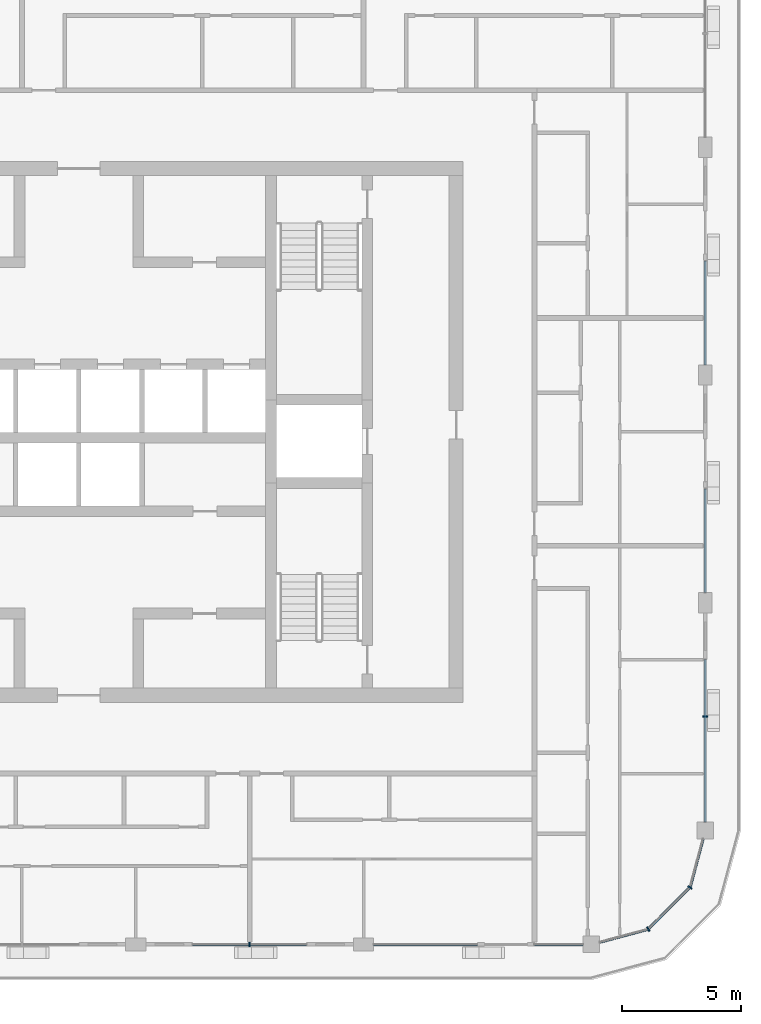
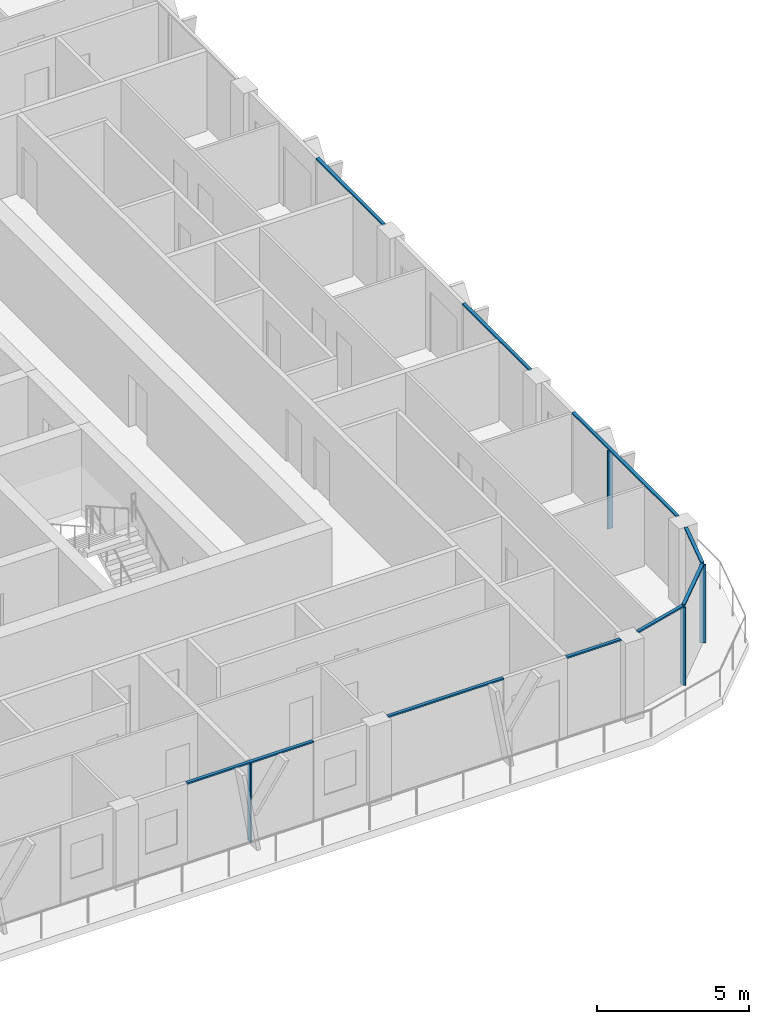
# One storey, part 4 of 21: 13 members, 6 elements without a shape of their own.
"""IFC4 building model written with IfcOpenShell, lengths in metres."""

from ifc_helpers import new_model, si_unit, direction, frame, origin, origin_2d, place, context, subcontext, project, spatial, rectangle, extrude, material, layer, layer_set, material_profile, profile_set, type_object, element, aggregate, save


model = new_model("IFC4")

# Units and contexts
model_context = context("Model", 3, precision=1e-05, world=origin(), true_north=direction((0.0, 1.0)))
body_context = subcontext(model_context, "Body", "Model", "MODEL_VIEW")
ifc_project = project(units=[si_unit("LENGTHUNIT", "METRE"), si_unit("AREAUNIT", "SQUARE_METRE"), si_unit("VOLUMEUNIT", "CUBIC_METRE"), si_unit("PLANEANGLEUNIT", "RADIAN"), si_unit("MASSUNIT", "GRAM", prefix="KILO")], contexts=[model_context])

# Site, building, storey
site_placement = place(None, origin())
site = spatial("IfcSite", under=ifc_project, at=site_placement, CompositionType="ELEMENT")
building_placement = place(site_placement, origin())
building = spatial("IfcBuilding", under=site, at=building_placement, Name="Madar Terraces", CompositionType="ELEMENT")
storey_placement = place(building_placement, frame((0.0, 0.0, 252.699951171875)))
storey = spatial("IfcBuildingStorey", under=building, at=storey_placement, Name="L66", CompositionType="ELEMENT", Elevation=252.699951171875)

# Curtain wall, member
ifc_material_1 = material(Name="Glass, ceramic frit dark grey, with black aluminium frame", Category="aluminium")
ifc_layer = layer(ifc_material_1, 0.199951171875)
ifc_layer_set = layer_set([ifc_layer], Name="Facade curtain wall, fritted glass")
curtain_wall_type = type_object("IfcCurtainWallType", Name="Facade curtain wall, fritted glass", PredefinedType="NOTDEFINED", material=ifc_layer_set)
curtain_wall_1_placement = place(storey_placement, origin())
curtain_wall_1 = element("IfcCurtainWall", 1, at=curtain_wall_1_placement, inside=storey, type_object=curtain_wall_type, Name="Outer skin curtain wall south bay 4", PredefinedType="NOTDEFINED")
ifc_material_2 = material(Name="Aluminium, black anodised", Category="aluminium")
ifc_material_profile_1 = material_profile(ifc_material_2, rectangle(XDim=0.199951171875, YDim=0.06005859375, at=origin_2d()), Name="Facade mullion 60x200")
ifc_profile_set_1 = profile_set([ifc_material_profile_1], Name="Aluminium, black anodised")
member_type_1 = type_object("IfcMemberType", Name="Facade mullion 60x200", PredefinedType="MULLION", material=ifc_profile_set_1)
member_1_placement = place(storey_placement, frame((38.39990234375, 4.800048828125, 0.0), z_axis=(0.0, 0.0, 1.0), x_axis=(0.0, 1.0, 0.0)))
member_1 = element("IfcMember", 2, at=member_1_placement, type_object=member_type_1, Name="Mullion 1", PredefinedType="MULLION", context=body_context, shape_type="SweptSolid", body=[
    extrude(rectangle(XDim=0.199951171875, YDim=0.06005859375, at=origin_2d()), origin(), (0.0, 0.0, 1.0), 3.14013671875),
])

curtain_wall_2_placement = place(storey_placement, origin())
curtain_wall_2 = element("IfcCurtainWall", 3, at=curtain_wall_2_placement, inside=storey, type_object=curtain_wall_type, Name="Outer skin curtain wall east bay 1", PredefinedType="NOTDEFINED")
member_2_placement = place(storey_placement, frame((57.60009765625, 14.39990234375, 0.0), z_axis=(0.0, 0.0, 1.0), x_axis=(-1.0, 0.0, 0.0)))
member_2 = element("IfcMember", 4, at=member_2_placement, type_object=member_type_1, Name="Mullion 1", PredefinedType="MULLION", context=body_context, shape_type="SweptSolid", body=[
    extrude(rectangle(XDim=0.199951171875, YDim=0.06005859375, at=origin_2d()), origin(), (0.0, 0.0, 1.0), 3.14013671875),
])

# Curtain wall, members
curtain_wall_3_placement = place(storey_placement, origin())
curtain_wall_3 = element("IfcCurtainWall", 5, at=curtain_wall_3_placement, inside=storey, type_object=curtain_wall_type, Name="Outer skin curtain wall south-east corner", PredefinedType="NOTDEFINED")
member_3_placement = place(storey_placement, frame((55.199951171875, 5.443115234375, 0.0), z_axis=(0.0, 0.0, 1.0), x_axis=(-0.499999989586, 0.866025409797, 0.0)))
member_3 = element("IfcMember", 6, at=member_3_placement, type_object=member_type_1, Name="Mullion 1", PredefinedType="MULLION", context=body_context, shape_type="SweptSolid", body=[
    extrude(rectangle(XDim=0.199951171875, YDim=0.06005859375, at=origin_2d()), origin(), (0.0, 0.0, 1.0), 3.14013671875),
])
member_4_placement = place(storey_placement, frame((56.95703125, 7.199951171875, 0.0), z_axis=(0.0, 0.0, 1.0), x_axis=(-0.866025409797, 0.499999989586, 0.0)))
member_4 = element("IfcMember", 7, at=member_4_placement, type_object=member_type_1, Name="Mullion 2", PredefinedType="MULLION", context=body_context, shape_type="SweptSolid", body=[
    extrude(rectangle(XDim=0.199951171875, YDim=0.06005859375, at=origin_2d()), origin(), (0.0, 0.0, 1.0), 3.14013671875),
])

# Member
ifc_material_3 = material(Name="Aluminium, black anodised", Category="aluminium")
ifc_material_profile_2 = material_profile(ifc_material_3, rectangle(XDim=0.1201171875, YDim=0.06005859375, at=origin_2d()), Name="Facade transom 60x120")
ifc_profile_set_2 = profile_set([ifc_material_profile_2], Name="Aluminium, black anodised")
member_type_2 = type_object("IfcMemberType", Name="Facade transom 60x120", PredefinedType="USERDEFINED", material=ifc_profile_set_2)
member_5_placement = place(storey_placement, frame((36.0, 4.800048828125, 3.170166015625), z_axis=(1.0, 0.0, 0.0), x_axis=(0.0, 1.0, 0.0)))
member_5 = element("IfcMember", 8, at=member_5_placement, type_object=member_type_2, Name="Transom 1", ObjectType="TRANSOM", PredefinedType="USERDEFINED", context=body_context, shape_type="SweptSolid", body=[
    extrude(rectangle(XDim=0.1201171875, YDim=0.06005859375, at=origin_2d()), origin(), (0.0, 0.0, 1.0), 4.800048828125),
])

aggregate(curtain_wall_1, [member_1, member_5])

# Curtain wall, members
curtain_wall_4_placement = place(storey_placement, origin())
curtain_wall_4 = element("IfcCurtainWall", 9, at=curtain_wall_4_placement, inside=storey, type_object=curtain_wall_type, Name="Outer skin curtain wall south bay 5", PredefinedType="NOTDEFINED")
member_6_placement = place(storey_placement, frame((43.625, 4.800048828125, 3.170166015625), z_axis=(1.0, 0.0, 0.0), x_axis=(0.0, 1.0, 0.0)))
member_6 = element("IfcMember", 10, at=member_6_placement, type_object=member_type_2, Name="Transom 1", ObjectType="TRANSOM", PredefinedType="USERDEFINED", context=body_context, shape_type="SweptSolid", body=[
    extrude(rectangle(XDim=0.1201171875, YDim=0.06005859375, at=origin_2d()), origin(), (0.0, 0.0, 1.0), 4.375),
])
member_7_placement = place(storey_placement, frame((50.39990234375, 4.800048828125, 3.170166015625), z_axis=(1.0, 0.0, 0.0), x_axis=(0.0, 1.0, 0.0)))
member_7 = element("IfcMember", 11, at=member_7_placement, type_object=member_type_2, Name="Transom 2", ObjectType="TRANSOM", PredefinedType="USERDEFINED", context=body_context, shape_type="SweptSolid", body=[
    extrude(rectangle(XDim=0.1201171875, YDim=0.06005859375, at=origin_2d()), origin(), (0.0, 0.0, 1.0), 2.050048828125),
])
aggregate(curtain_wall_4, [member_6, member_7])

# Member
member_8_placement = place(storey_placement, frame((57.60009765625, 9.949951171875, 3.170166015625), z_axis=(0.0, 1.0, 0.0), x_axis=(-1.0, 0.0, 0.0)))
member_8 = element("IfcMember", 12, at=member_8_placement, type_object=member_type_2, Name="Transom 1", ObjectType="TRANSOM", PredefinedType="USERDEFINED", context=body_context, shape_type="SweptSolid", body=[
    extrude(rectangle(XDim=0.1201171875, YDim=0.06005859375, at=origin_2d()), origin(), (0.0, 0.0, 1.0), 6.85009765625),
])

aggregate(curtain_wall_2, [member_2, member_8])

# Curtain wall, member
curtain_wall_5_placement = place(storey_placement, origin())
curtain_wall_5 = element("IfcCurtainWall", 13, at=curtain_wall_5_placement, inside=storey, type_object=curtain_wall_type, Name="Outer skin curtain wall east bay 2", PredefinedType="NOTDEFINED")
member_9_placement = place(storey_placement, frame((57.60009765625, 19.625, 3.170166015625), z_axis=(0.0, 1.0, 0.0), x_axis=(-1.0, 0.0, 0.0)))
member_9 = element("IfcMember", 14, at=member_9_placement, type_object=member_type_2, Name="Transom 1", ObjectType="TRANSOM", PredefinedType="USERDEFINED", context=body_context, shape_type="SweptSolid", body=[
    extrude(rectangle(XDim=0.1201171875, YDim=0.06005859375, at=origin_2d()), origin(), (0.0, 0.0, 1.0), 4.375),
])
aggregate(curtain_wall_5, [member_9])

curtain_wall_6_placement = place(storey_placement, origin())
curtain_wall_6 = element("IfcCurtainWall", 15, at=curtain_wall_6_placement, inside=storey, type_object=curtain_wall_type, Name="Outer skin curtain wall east bay 3", PredefinedType="NOTDEFINED")
member_10_placement = place(storey_placement, frame((57.60009765625, 29.22509765625, 3.170166015625), z_axis=(0.0, 1.0, 0.0), x_axis=(-1.0, 0.0, 0.0)))
member_10 = element("IfcMember", 16, at=member_10_placement, type_object=member_type_2, Name="Transom 1", ObjectType="TRANSOM", PredefinedType="USERDEFINED", context=body_context, shape_type="SweptSolid", body=[
    extrude(rectangle(XDim=0.1201171875, YDim=0.06005859375, at=origin_2d()), origin(), (0.0, 0.0, 1.0), 4.375),
])
aggregate(curtain_wall_6, [member_10])

# Member
member_11_placement = place(storey_placement, frame((53.14990234375, 4.893798828125, 3.170166015625), z_axis=(0.965936074212, 0.258780796304, 0.0), x_axis=(-0.258780796304, 0.965936074212, 0.0)))
member_11 = element("IfcMember", 17, at=member_11_placement, type_object=member_type_2, Name="Transom 1", ObjectType="TRANSOM", PredefinedType="USERDEFINED", context=body_context, shape_type="SweptSolid", body=[
    extrude(rectangle(XDim=0.1201171875, YDim=0.06005859375, at=origin_2d()), origin(), (0.0, 0.0, 1.0), 2.092529296875),
])

member_12_placement = place(storey_placement, frame((55.22119140625, 5.46435546875, 3.170166015625), z_axis=(0.707157125196, 0.707056433593, 0.0), x_axis=(-0.707056433593, 0.707157125196, 0.0)))
member_12 = element("IfcMember", 18, at=member_12_placement, type_object=member_type_2, Name="Transom 2", ObjectType="TRANSOM", PredefinedType="USERDEFINED", context=body_context, shape_type="SweptSolid", body=[
    extrude(rectangle(XDim=0.1201171875, YDim=0.06005859375, at=origin_2d()), origin(), (0.0, 0.0, 1.0), 2.424560546875),
])

member_13_placement = place(storey_placement, frame((56.964599609375, 7.22900390625, 3.170166015625), z_axis=(0.258809963731, 0.965928259589, 0.0), x_axis=(-0.965928259589, 0.258809963731, 0.0)))
member_13 = element("IfcMember", 19, at=member_13_placement, type_object=member_type_2, Name="Transom 3", ObjectType="TRANSOM", PredefinedType="USERDEFINED", context=body_context, shape_type="SweptSolid", body=[
    extrude(rectangle(XDim=0.1201171875, YDim=0.06005859375, at=origin_2d()), origin(), (0.0, 0.0, 1.0), 2.09228515625),
])

aggregate(curtain_wall_3, [member_3, member_11, member_4, member_12, member_13])

save(model, "model.ifc")
